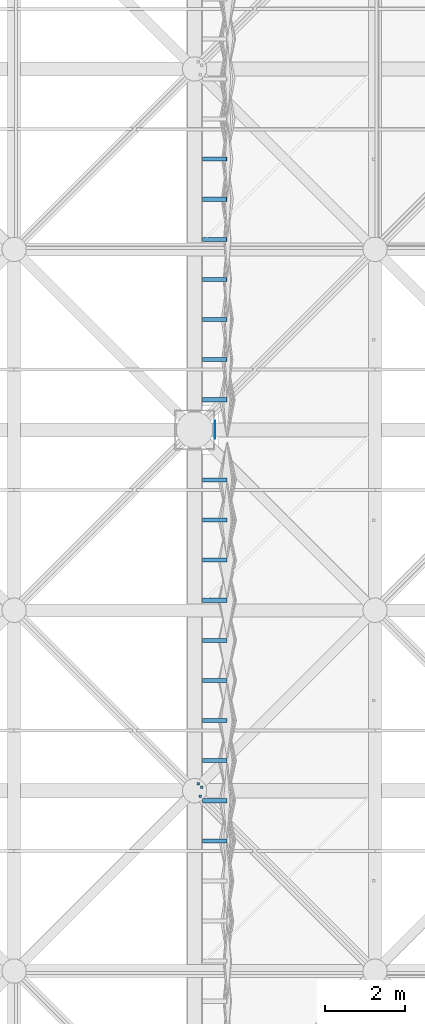
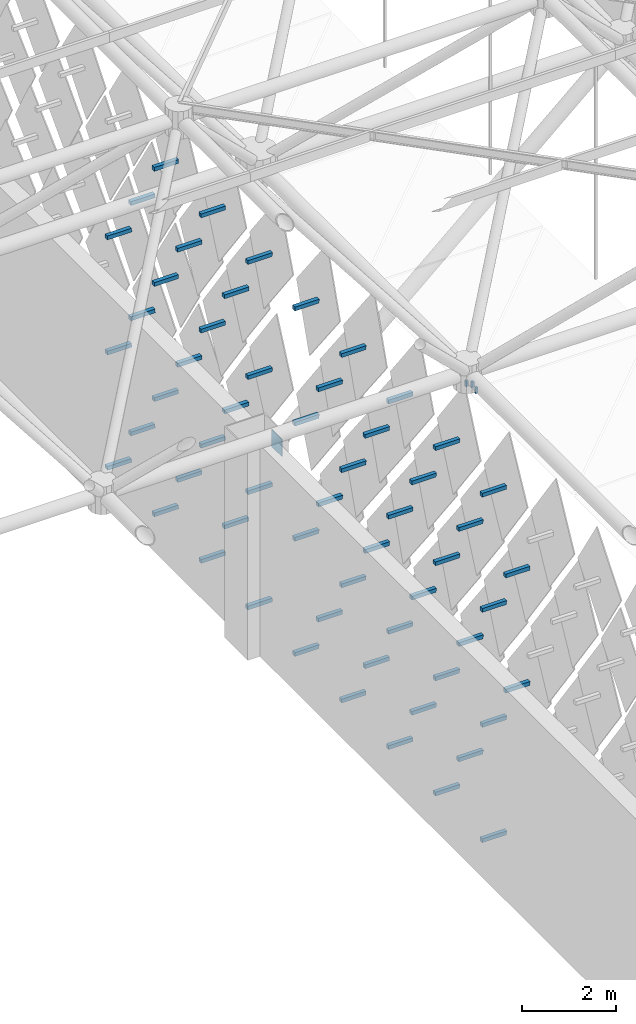
# One storey, part 376 of 437: 62 discrete accessories.
"""IFC4 building model written with IfcOpenShell, lengths in metres."""

from ifc_helpers import new_model, si_unit, direction, frame, origin, place, context, subcontext, project, spatial, polyline, outline, extrude, material, layer, layer_set, type_object, element, save


model = new_model("IFC4")

# Units and contexts
model_context = context("Model", 3, precision=1e-05, world=origin(), true_north=direction((0.0, 1.0)))
body_context = subcontext(model_context, "Body", "Model", "MODEL_VIEW")
ifc_project = project(units=[si_unit("LENGTHUNIT", "METRE"), si_unit("AREAUNIT", "SQUARE_METRE"), si_unit("VOLUMEUNIT", "CUBIC_METRE"), si_unit("PLANEANGLEUNIT", "RADIAN"), si_unit("MASSUNIT", "GRAM", prefix="KILO")], contexts=[model_context])

# Site, building, storey
site_placement = place(None, origin())
site = spatial("IfcSite", under=ifc_project, at=site_placement, CompositionType="ELEMENT")
building_placement = place(site_placement, origin())
building = spatial("IfcBuilding", under=site, at=building_placement, Name="Opaline Strait Convention Centre", CompositionType="ELEMENT")
storey_placement = place(building_placement, frame((0.0, 0.0, 11.5)))
storey = spatial("IfcBuildingStorey", under=building, at=storey_placement, Name="L02", CompositionType="ELEMENT", Elevation=11.5)

# Discrete accessories
ifc_material_1 = material(Name="Structural steel Q355B", Category="steel")
ifc_layer = layer(ifc_material_1, 0.01611328125)
ifc_layer_set = layer_set([ifc_layer], Name="Structural steel Q355B")
discrete_accessory_type_1 = type_object("IfcDiscreteAccessoryType", Name="Prop bearing plate 450 x 450 x 16", PredefinedType="ANCHORPLATE", material=ifc_layer_set)
discrete_accessory_1_placement = place(storey_placement, frame((0.0, 0.0, 4.7890625)))
element("IfcDiscreteAccessory", 1, at=discrete_accessory_1_placement, inside=storey, type_object=discrete_accessory_type_1, Name="Prop bearing plate 261/108 E", PredefinedType="ANCHORPLATE", context=body_context, shape_type="SweptSolid", body=[
    extrude(outline(polyline([(261.5, 107.77490234375), (261.51611328125, 107.77490234375), (261.51611328125, 108.22509765625), (261.5, 108.22509765625), (261.5, 107.77490234375)])), origin(), (0.0, 0.0, 1.0), 0.449951171875),
])
ifc_material_2 = material(Name="Steel Q355B", Category="steel")
discrete_accessory_type_2 = type_object("IfcDiscreteAccessoryType", Name="Soffit hanger 60x60 steel", PredefinedType="BRACKET", material=ifc_material_2)
discrete_accessory_2_placement = place(storey_placement, frame((0.0, 0.0, 11.990234375)))
element("IfcDiscreteAccessory", 2, at=discrete_accessory_2_placement, inside=storey, type_object=discrete_accessory_type_2, Name="Soffit hanger", PredefinedType="BRACKET", context=body_context, shape_type="SweptSolid", body=[
    extrude(outline(polyline([(261.111328125, 98.82861328125), (261.17138671875, 98.82861328125), (261.17138671875, 98.888671875), (261.111328125, 98.888671875), (261.111328125, 98.82861328125)])), origin(), (0.0, 0.0, 1.0), 0.149658203125),
])
discrete_accessory_3_placement = place(storey_placement, frame((0.0, 0.0, 11.990234375)))
element("IfcDiscreteAccessory", 3, at=discrete_accessory_3_placement, inside=storey, type_object=discrete_accessory_type_2, Name="Soffit hanger", PredefinedType="BRACKET", context=body_context, shape_type="SweptSolid", body=[
    extrude(outline(polyline([(261.14892578125, 99.059326171875), (261.208984375, 99.059326171875), (261.208984375, 99.119140625), (261.14892578125, 99.119140625), (261.14892578125, 99.059326171875)])), origin(), (0.0, 0.0, 1.0), 0.149658203125),
])
discrete_accessory_4_placement = place(storey_placement, frame((0.0, 0.0, 11.989990234375)))
element("IfcDiscreteAccessory", 4, at=discrete_accessory_4_placement, inside=storey, type_object=discrete_accessory_type_2, Name="Soffit hanger", PredefinedType="BRACKET", context=body_context, shape_type="SweptSolid", body=[
    extrude(outline(polyline([(261.059326171875, 99.14892578125), (261.119140625, 99.14892578125), (261.119140625, 99.208984375), (261.059326171875, 99.208984375), (261.059326171875, 99.14892578125)])), origin(), (0.0, 0.0, 1.0), 0.14990234375),
])
discrete_accessory_type_3 = type_object("IfcDiscreteAccessoryType", Name="Tile bracket 100x100 steel", PredefinedType="BRACKET", material=ifc_material_2)
discrete_accessory_5_placement = place(storey_placement, frame((261.199951171875, 98.699951171875, 0.39208984375), z_axis=(0.0, 1.0, 0.0), x_axis=(-1.0, 0.0, 0.0)))
element("IfcDiscreteAccessory", 5, at=discrete_accessory_5_placement, inside=storey, type_object=discrete_accessory_type_3, Name="Tile bracket XT17 E", PredefinedType="BRACKET", context=body_context, shape_type="SweptSolid", body=[
    extrude(outline(polyline([(0.0, -0.050048828125), (0.0, 0.050048828125), (-0.607421875, 0.050048828125), (-0.592529296875, -0.050048828125), (0.0, -0.050048828125)])), origin(), (0.0, 0.0, 1.0), 0.10009765625),
])
discrete_accessory_6_placement = place(storey_placement, frame((261.199951171875, 100.699951171875, 0.39208984375), z_axis=(0.0, 1.0, 0.0), x_axis=(-1.0, 0.0, 0.0)))
element("IfcDiscreteAccessory", 6, at=discrete_accessory_6_placement, inside=storey, type_object=discrete_accessory_type_3, Name="Tile bracket XT16 E", PredefinedType="BRACKET", context=body_context, shape_type="SweptSolid", body=[
    extrude(outline(polyline([(0.0, -0.050048828125), (0.0, 0.050048828125), (-0.60693359375, 0.050048828125), (-0.593017578125, -0.050048828125), (0.0, -0.050048828125)])), origin(), (0.0, 0.0, 1.0), 0.10009765625),
])
discrete_accessory_7_placement = place(storey_placement, frame((261.199951171875, 102.699951171875, 0.39208984375), z_axis=(0.0, 1.0, 0.0), x_axis=(-1.0, 0.0, 0.0)))
element("IfcDiscreteAccessory", 7, at=discrete_accessory_7_placement, inside=storey, type_object=discrete_accessory_type_3, Name="Tile bracket XT13 E", PredefinedType="BRACKET", context=body_context, shape_type="SweptSolid", body=[
    extrude(outline(polyline([(0.0, -0.050048828125), (0.0, 0.050048828125), (-0.605712890625, 0.050048828125), (-0.59423828125, -0.050048828125), (0.0, -0.050048828125)])), origin(), (0.0, 0.0, 1.0), 0.10009765625),
])
discrete_accessory_8_placement = place(storey_placement, frame((261.199951171875, 104.699951171875, 0.39208984375), z_axis=(0.0, 1.0, 0.0), x_axis=(-1.0, 0.0, 0.0)))
element("IfcDiscreteAccessory", 8, at=discrete_accessory_8_placement, inside=storey, type_object=discrete_accessory_type_3, Name="Tile bracket XT09 E", PredefinedType="BRACKET", context=body_context, shape_type="SweptSolid", body=[
    extrude(outline(polyline([(0.0, -0.050048828125), (0.0, 0.050048828125), (-0.60400390625, 0.050048828125), (-0.595947265625, -0.050048828125), (0.0, -0.050048828125)])), origin(), (0.0, 0.0, 1.0), 0.10009765625),
])
discrete_accessory_9_placement = place(storey_placement, frame((261.199951171875, 106.699951171875, 0.39208984375), z_axis=(0.0, 1.0, 0.0), x_axis=(-1.0, 0.0, 0.0)))
element("IfcDiscreteAccessory", 9, at=discrete_accessory_9_placement, inside=storey, type_object=discrete_accessory_type_3, Name="Tile bracket XT06 E", PredefinedType="BRACKET", context=body_context, shape_type="SweptSolid", body=[
    extrude(outline(polyline([(0.0, -0.050048828125), (0.0, 0.050048828125), (-0.6025390625, 0.050048828125), (-0.597412109375, -0.050048828125), (0.0, -0.050048828125)])), origin(), (0.0, 0.0, 1.0), 0.10009765625),
])
discrete_accessory_10_placement = place(storey_placement, frame((261.199951171875, 108.699951171875, 0.39208984375), z_axis=(0.0, 1.0, 0.0), x_axis=(-1.0, 0.0, 0.0)))
element("IfcDiscreteAccessory", 10, at=discrete_accessory_10_placement, inside=storey, type_object=discrete_accessory_type_3, Name="Tile bracket XT06 E", PredefinedType="BRACKET", context=body_context, shape_type="SweptSolid", body=[
    extrude(outline(polyline([(0.0, -0.050048828125), (0.0, 0.050048828125), (-0.597412109375, 0.050048828125), (-0.6025390625, -0.050048828125), (0.0, -0.050048828125)])), origin(), (0.0, 0.0, 1.0), 0.10009765625),
])
discrete_accessory_11_placement = place(storey_placement, frame((261.199951171875, 110.699951171875, 0.39208984375), z_axis=(0.0, 1.0, 0.0), x_axis=(-1.0, 0.0, 0.0)))
element("IfcDiscreteAccessory", 11, at=discrete_accessory_11_placement, inside=storey, type_object=discrete_accessory_type_3, Name="Tile bracket XT08 E", PredefinedType="BRACKET", context=body_context, shape_type="SweptSolid", body=[
    extrude(outline(polyline([(0.0, -0.050048828125), (0.0, 0.050048828125), (-0.596435546875, 0.050048828125), (-0.603515625, -0.050048828125), (0.0, -0.050048828125)])), origin(), (0.0, 0.0, 1.0), 0.10009765625),
])
discrete_accessory_12_placement = place(storey_placement, frame((261.199951171875, 112.699951171875, 0.39208984375), z_axis=(0.0, 1.0, 0.0), x_axis=(-1.0, 0.0, 0.0)))
element("IfcDiscreteAccessory", 12, at=discrete_accessory_12_placement, inside=storey, type_object=discrete_accessory_type_3, Name="Tile bracket XT13 E", PredefinedType="BRACKET", context=body_context, shape_type="SweptSolid", body=[
    extrude(outline(polyline([(0.0, -0.050048828125), (0.0, 0.050048828125), (-0.59423828125, 0.050048828125), (-0.605712890625, -0.050048828125), (0.0, -0.050048828125)])), origin(), (0.0, 0.0, 1.0), 0.10009765625),
])
discrete_accessory_13_placement = place(storey_placement, frame((261.199951171875, 114.699951171875, 0.39208984375), z_axis=(0.0, 1.0, 0.0), x_axis=(-1.0, 0.0, 0.0)))
element("IfcDiscreteAccessory", 13, at=discrete_accessory_13_placement, inside=storey, type_object=discrete_accessory_type_3, Name="Tile bracket XT15 E", PredefinedType="BRACKET", context=body_context, shape_type="SweptSolid", body=[
    extrude(outline(polyline([(0.0, -0.050048828125), (0.0, 0.050048828125), (-0.593505859375, 0.050048828125), (-0.606689453125, -0.050048828125), (0.0, -0.050048828125)])), origin(), (0.0, 0.0, 1.0), 0.10009765625),
])
discrete_accessory_14_placement = place(storey_placement, frame((261.199951171875, 99.699951171875, 1.89208984375), z_axis=(0.0, 1.0, 0.0), x_axis=(-1.0, 0.0, 0.0)))
element("IfcDiscreteAccessory", 14, at=discrete_accessory_14_placement, inside=storey, type_object=discrete_accessory_type_3, Name="Tile bracket XT17 E", PredefinedType="BRACKET", context=body_context, shape_type="SweptSolid", body=[
    extrude(outline(polyline([(0.0, -0.050048828125), (0.0, 0.050048828125), (-0.607421875, 0.050048828125), (-0.592529296875, -0.050048828125), (0.0, -0.050048828125)])), origin(), (0.0, 0.0, 1.0), 0.10009765625),
])
discrete_accessory_15_placement = place(storey_placement, frame((261.199951171875, 101.699951171875, 1.89208984375), z_axis=(0.0, 1.0, 0.0), x_axis=(-1.0, 0.0, 0.0)))
element("IfcDiscreteAccessory", 15, at=discrete_accessory_15_placement, inside=storey, type_object=discrete_accessory_type_3, Name="Tile bracket XT16 E", PredefinedType="BRACKET", context=body_context, shape_type="SweptSolid", body=[
    extrude(outline(polyline([(0.0, -0.050048828125), (0.0, 0.050048828125), (-0.60693359375, 0.050048828125), (-0.593017578125, -0.050048828125), (0.0, -0.050048828125)])), origin(), (0.0, 0.0, 1.0), 0.10009765625),
])
discrete_accessory_16_placement = place(storey_placement, frame((261.199951171875, 103.699951171875, 1.89208984375), z_axis=(0.0, 1.0, 0.0), x_axis=(-1.0, 0.0, 0.0)))
element("IfcDiscreteAccessory", 16, at=discrete_accessory_16_placement, inside=storey, type_object=discrete_accessory_type_3, Name="Tile bracket XT14 E", PredefinedType="BRACKET", context=body_context, shape_type="SweptSolid", body=[
    extrude(outline(polyline([(0.0, -0.050048828125), (0.0, 0.050048828125), (-0.606201171875, 0.050048828125), (-0.59375, -0.050048828125), (0.0, -0.050048828125)])), origin(), (0.0, 0.0, 1.0), 0.10009765625),
])
discrete_accessory_17_placement = place(storey_placement, frame((261.199951171875, 105.699951171875, 1.89208984375), z_axis=(0.0, 1.0, 0.0), x_axis=(-1.0, 0.0, 0.0)))
element("IfcDiscreteAccessory", 17, at=discrete_accessory_17_placement, inside=storey, type_object=discrete_accessory_type_3, Name="Tile bracket XT09 E", PredefinedType="BRACKET", context=body_context, shape_type="SweptSolid", body=[
    extrude(outline(polyline([(0.0, -0.050048828125), (0.0, 0.050048828125), (-0.60400390625, 0.050048828125), (-0.595947265625, -0.050048828125), (0.0, -0.050048828125)])), origin(), (0.0, 0.0, 1.0), 0.10009765625),
])
discrete_accessory_18_placement = place(storey_placement, frame((261.199951171875, 109.699951171875, 1.89208984375), z_axis=(0.0, 1.0, 0.0), x_axis=(-1.0, 0.0, 0.0)))
element("IfcDiscreteAccessory", 18, at=discrete_accessory_18_placement, inside=storey, type_object=discrete_accessory_type_3, Name="Tile bracket XT06 E", PredefinedType="BRACKET", context=body_context, shape_type="SweptSolid", body=[
    extrude(outline(polyline([(0.0, -0.050048828125), (0.0, 0.050048828125), (-0.597412109375, 0.050048828125), (-0.6025390625, -0.050048828125), (0.0, -0.050048828125)])), origin(), (0.0, 0.0, 1.0), 0.10009765625),
])
discrete_accessory_19_placement = place(storey_placement, frame((261.199951171875, 111.699951171875, 1.89208984375), z_axis=(0.0, 1.0, 0.0), x_axis=(-1.0, 0.0, 0.0)))
element("IfcDiscreteAccessory", 19, at=discrete_accessory_19_placement, inside=storey, type_object=discrete_accessory_type_3, Name="Tile bracket XT08 E", PredefinedType="BRACKET", context=body_context, shape_type="SweptSolid", body=[
    extrude(outline(polyline([(0.0, -0.050048828125), (0.0, 0.050048828125), (-0.596435546875, 0.050048828125), (-0.603515625, -0.050048828125), (0.0, -0.050048828125)])), origin(), (0.0, 0.0, 1.0), 0.10009765625),
])
discrete_accessory_20_placement = place(storey_placement, frame((261.199951171875, 113.699951171875, 1.89208984375), z_axis=(0.0, 1.0, 0.0), x_axis=(-1.0, 0.0, 0.0)))
element("IfcDiscreteAccessory", 20, at=discrete_accessory_20_placement, inside=storey, type_object=discrete_accessory_type_3, Name="Tile bracket XT12 E", PredefinedType="BRACKET", context=body_context, shape_type="SweptSolid", body=[
    extrude(outline(polyline([(0.0, -0.050048828125), (0.0, 0.050048828125), (-0.5947265625, 0.050048828125), (-0.605224609375, -0.050048828125), (0.0, -0.050048828125)])), origin(), (0.0, 0.0, 1.0), 0.10009765625),
])
discrete_accessory_21_placement = place(storey_placement, frame((261.199951171875, 98.699951171875, 3.39208984375), z_axis=(0.0, 1.0, 0.0), x_axis=(-1.0, 0.0, 0.0)))
element("IfcDiscreteAccessory", 21, at=discrete_accessory_21_placement, inside=storey, type_object=discrete_accessory_type_3, Name="Tile bracket XT16 E", PredefinedType="BRACKET", context=body_context, shape_type="SweptSolid", body=[
    extrude(outline(polyline([(0.0, -0.050048828125), (0.0, 0.050048828125), (-0.60693359375, 0.050048828125), (-0.593017578125, -0.050048828125), (0.0, -0.050048828125)])), origin(), (0.0, 0.0, 1.0), 0.10009765625),
])
discrete_accessory_22_placement = place(storey_placement, frame((261.199951171875, 100.699951171875, 3.39208984375), z_axis=(0.0, 1.0, 0.0), x_axis=(-1.0, 0.0, 0.0)))
element("IfcDiscreteAccessory", 22, at=discrete_accessory_22_placement, inside=storey, type_object=discrete_accessory_type_3, Name="Tile bracket XT17 E", PredefinedType="BRACKET", context=body_context, shape_type="SweptSolid", body=[
    extrude(outline(polyline([(0.0, -0.050048828125), (0.0, 0.050048828125), (-0.607421875, 0.050048828125), (-0.592529296875, -0.050048828125), (0.0, -0.050048828125)])), origin(), (0.0, 0.0, 1.0), 0.10009765625),
])
discrete_accessory_23_placement = place(storey_placement, frame((261.199951171875, 102.699951171875, 3.39208984375), z_axis=(0.0, 1.0, 0.0), x_axis=(-1.0, 0.0, 0.0)))
element("IfcDiscreteAccessory", 23, at=discrete_accessory_23_placement, inside=storey, type_object=discrete_accessory_type_3, Name="Tile bracket XT16 E", PredefinedType="BRACKET", context=body_context, shape_type="SweptSolid", body=[
    extrude(outline(polyline([(0.0, -0.050048828125), (0.0, 0.050048828125), (-0.60693359375, 0.050048828125), (-0.593017578125, -0.050048828125), (0.0, -0.050048828125)])), origin(), (0.0, 0.0, 1.0), 0.10009765625),
])
discrete_accessory_24_placement = place(storey_placement, frame((261.199951171875, 104.699951171875, 3.39208984375), z_axis=(0.0, 1.0, 0.0), x_axis=(-1.0, 0.0, 0.0)))
element("IfcDiscreteAccessory", 24, at=discrete_accessory_24_placement, inside=storey, type_object=discrete_accessory_type_3, Name="Tile bracket XT14 E", PredefinedType="BRACKET", context=body_context, shape_type="SweptSolid", body=[
    extrude(outline(polyline([(0.0, -0.050048828125), (0.0, 0.050048828125), (-0.606201171875, 0.050048828125), (-0.59375, -0.050048828125), (0.0, -0.050048828125)])), origin(), (0.0, 0.0, 1.0), 0.10009765625),
])
discrete_accessory_25_placement = place(storey_placement, frame((261.199951171875, 106.699951171875, 3.39208984375), z_axis=(0.0, 1.0, 0.0), x_axis=(-1.0, 0.0, 0.0)))
element("IfcDiscreteAccessory", 25, at=discrete_accessory_25_placement, inside=storey, type_object=discrete_accessory_type_3, Name="Tile bracket XT10 E", PredefinedType="BRACKET", context=body_context, shape_type="SweptSolid", body=[
    extrude(outline(polyline([(0.0, -0.050048828125), (0.0, 0.050048828125), (-0.604248046875, 0.050048828125), (-0.595703125, -0.050048828125), (0.0, -0.050048828125)])), origin(), (0.0, 0.0, 1.0), 0.10009765625),
])
discrete_accessory_26_placement = place(storey_placement, frame((261.199951171875, 108.699951171875, 3.39208984375), z_axis=(0.0, 1.0, 0.0), x_axis=(-1.0, 0.0, 0.0)))
element("IfcDiscreteAccessory", 26, at=discrete_accessory_26_placement, inside=storey, type_object=discrete_accessory_type_3, Name="Tile bracket XT06 E", PredefinedType="BRACKET", context=body_context, shape_type="SweptSolid", body=[
    extrude(outline(polyline([(0.0, -0.050048828125), (0.0, 0.050048828125), (-0.6025390625, 0.050048828125), (-0.597412109375, -0.050048828125), (0.0, -0.050048828125)])), origin(), (0.0, 0.0, 1.0), 0.10009765625),
])
discrete_accessory_27_placement = place(storey_placement, frame((261.199951171875, 110.699951171875, 3.39208984375), z_axis=(0.0, 1.0, 0.0), x_axis=(-1.0, 0.0, 0.0)))
element("IfcDiscreteAccessory", 27, at=discrete_accessory_27_placement, inside=storey, type_object=discrete_accessory_type_3, Name="Tile bracket XT06 E", PredefinedType="BRACKET", context=body_context, shape_type="SweptSolid", body=[
    extrude(outline(polyline([(0.0, -0.050048828125), (0.0, 0.050048828125), (-0.597412109375, 0.050048828125), (-0.6025390625, -0.050048828125), (0.0, -0.050048828125)])), origin(), (0.0, 0.0, 1.0), 0.10009765625),
])
discrete_accessory_28_placement = place(storey_placement, frame((261.199951171875, 112.699951171875, 3.39208984375), z_axis=(0.0, 1.0, 0.0), x_axis=(-1.0, 0.0, 0.0)))
element("IfcDiscreteAccessory", 28, at=discrete_accessory_28_placement, inside=storey, type_object=discrete_accessory_type_3, Name="Tile bracket XT07 E", PredefinedType="BRACKET", context=body_context, shape_type="SweptSolid", body=[
    extrude(outline(polyline([(0.0, -0.050048828125), (0.0, 0.050048828125), (-0.596923828125, 0.050048828125), (-0.60302734375, -0.050048828125), (0.0, -0.050048828125)])), origin(), (0.0, 0.0, 1.0), 0.10009765625),
])
discrete_accessory_29_placement = place(storey_placement, frame((261.199951171875, 114.699951171875, 3.39208984375), z_axis=(0.0, 1.0, 0.0), x_axis=(-1.0, 0.0, 0.0)))
element("IfcDiscreteAccessory", 29, at=discrete_accessory_29_placement, inside=storey, type_object=discrete_accessory_type_3, Name="Tile bracket XT11 E", PredefinedType="BRACKET", context=body_context, shape_type="SweptSolid", body=[
    extrude(outline(polyline([(0.0, -0.050048828125), (0.0, 0.050048828125), (-0.59521484375, 0.050048828125), (-0.604736328125, -0.050048828125), (0.0, -0.050048828125)])), origin(), (0.0, 0.0, 1.0), 0.10009765625),
])
discrete_accessory_30_placement = place(storey_placement, frame((261.199951171875, 97.699951171875, 4.89208984375), z_axis=(0.0, 1.0, 0.0), x_axis=(-1.0, 0.0, 0.0)))
element("IfcDiscreteAccessory", 30, at=discrete_accessory_30_placement, inside=storey, type_object=discrete_accessory_type_3, Name="Tile bracket XT12 E", PredefinedType="BRACKET", context=body_context, shape_type="SweptSolid", body=[
    extrude(outline(polyline([(0.0, -0.050048828125), (0.0, 0.050048828125), (-0.605224609375, 0.050048828125), (-0.5947265625, -0.050048828125), (0.0, -0.050048828125)])), origin(), (0.0, 0.0, 1.0), 0.10009765625),
])
discrete_accessory_31_placement = place(storey_placement, frame((261.199951171875, 99.699951171875, 4.89208984375), z_axis=(0.0, 1.0, 0.0), x_axis=(-1.0, 0.0, 0.0)))
element("IfcDiscreteAccessory", 31, at=discrete_accessory_31_placement, inside=storey, type_object=discrete_accessory_type_3, Name="Tile bracket XT15 E", PredefinedType="BRACKET", context=body_context, shape_type="SweptSolid", body=[
    extrude(outline(polyline([(0.0, -0.050048828125), (0.0, 0.050048828125), (-0.606689453125, 0.050048828125), (-0.593505859375, -0.050048828125), (0.0, -0.050048828125)])), origin(), (0.0, 0.0, 1.0), 0.10009765625),
])
discrete_accessory_32_placement = place(storey_placement, frame((261.199951171875, 101.699951171875, 4.89208984375), z_axis=(0.0, 1.0, 0.0), x_axis=(-1.0, 0.0, 0.0)))
element("IfcDiscreteAccessory", 32, at=discrete_accessory_32_placement, inside=storey, type_object=discrete_accessory_type_3, Name="Tile bracket XT17 E", PredefinedType="BRACKET", context=body_context, shape_type="SweptSolid", body=[
    extrude(outline(polyline([(0.0, -0.050048828125), (0.0, 0.050048828125), (-0.607421875, 0.050048828125), (-0.592529296875, -0.050048828125), (0.0, -0.050048828125)])), origin(), (0.0, 0.0, 1.0), 0.10009765625),
])
discrete_accessory_33_placement = place(storey_placement, frame((261.199951171875, 103.699951171875, 4.89208984375), z_axis=(0.0, 1.0, 0.0), x_axis=(-1.0, 0.0, 0.0)))
element("IfcDiscreteAccessory", 33, at=discrete_accessory_33_placement, inside=storey, type_object=discrete_accessory_type_3, Name="Tile bracket XT16 E", PredefinedType="BRACKET", context=body_context, shape_type="SweptSolid", body=[
    extrude(outline(polyline([(0.0, -0.050048828125), (0.0, 0.050048828125), (-0.60693359375, 0.050048828125), (-0.593017578125, -0.050048828125), (0.0, -0.050048828125)])), origin(), (0.0, 0.0, 1.0), 0.10009765625),
])
discrete_accessory_34_placement = place(storey_placement, frame((261.199951171875, 105.699951171875, 4.89208984375), z_axis=(0.0, 1.0, 0.0), x_axis=(-1.0, 0.0, 0.0)))
element("IfcDiscreteAccessory", 34, at=discrete_accessory_34_placement, inside=storey, type_object=discrete_accessory_type_3, Name="Tile bracket XT14 E", PredefinedType="BRACKET", context=body_context, shape_type="SweptSolid", body=[
    extrude(outline(polyline([(0.0, -0.050048828125), (0.0, 0.050048828125), (-0.606201171875, 0.050048828125), (-0.59375, -0.050048828125), (0.0, -0.050048828125)])), origin(), (0.0, 0.0, 1.0), 0.10009765625),
])
discrete_accessory_35_placement = place(storey_placement, frame((261.199951171875, 109.699951171875, 4.89208984375), z_axis=(0.0, 1.0, 0.0), x_axis=(-1.0, 0.0, 0.0)))
element("IfcDiscreteAccessory", 35, at=discrete_accessory_35_placement, inside=storey, type_object=discrete_accessory_type_3, Name="Tile bracket XT06 E", PredefinedType="BRACKET", context=body_context, shape_type="SweptSolid", body=[
    extrude(outline(polyline([(0.0, -0.050048828125), (0.0, 0.050048828125), (-0.6025390625, 0.050048828125), (-0.597412109375, -0.050048828125), (0.0, -0.050048828125)])), origin(), (0.0, 0.0, 1.0), 0.10009765625),
])
discrete_accessory_36_placement = place(storey_placement, frame((261.199951171875, 111.699951171875, 4.89208984375), z_axis=(0.0, 1.0, 0.0), x_axis=(-1.0, 0.0, 0.0)))
element("IfcDiscreteAccessory", 36, at=discrete_accessory_36_placement, inside=storey, type_object=discrete_accessory_type_3, Name="Tile bracket XT06 E", PredefinedType="BRACKET", context=body_context, shape_type="SweptSolid", body=[
    extrude(outline(polyline([(0.0, -0.050048828125), (0.0, 0.050048828125), (-0.597412109375, 0.050048828125), (-0.6025390625, -0.050048828125), (0.0, -0.050048828125)])), origin(), (0.0, 0.0, 1.0), 0.10009765625),
])
discrete_accessory_37_placement = place(storey_placement, frame((261.199951171875, 113.699951171875, 4.89208984375), z_axis=(0.0, 1.0, 0.0), x_axis=(-1.0, 0.0, 0.0)))
element("IfcDiscreteAccessory", 37, at=discrete_accessory_37_placement, inside=storey, type_object=discrete_accessory_type_3, Name="Tile bracket XT07 E", PredefinedType="BRACKET", context=body_context, shape_type="SweptSolid", body=[
    extrude(outline(polyline([(0.0, -0.050048828125), (0.0, 0.050048828125), (-0.596923828125, 0.050048828125), (-0.60302734375, -0.050048828125), (0.0, -0.050048828125)])), origin(), (0.0, 0.0, 1.0), 0.10009765625),
])
discrete_accessory_38_placement = place(storey_placement, frame((261.199951171875, 98.699951171875, 6.39208984375), z_axis=(0.0, 1.0, 0.0), x_axis=(-1.0, 0.0, 0.0)))
element("IfcDiscreteAccessory", 38, at=discrete_accessory_38_placement, inside=storey, type_object=discrete_accessory_type_3, Name="Tile bracket XT12 E", PredefinedType="BRACKET", context=body_context, shape_type="SweptSolid", body=[
    extrude(outline(polyline([(0.0, -0.050048828125), (0.0, 0.050048828125), (-0.605224609375, 0.050048828125), (-0.5947265625, -0.050048828125), (0.0, -0.050048828125)])), origin(), (0.0, 0.0, 1.0), 0.10009765625),
])
discrete_accessory_39_placement = place(storey_placement, frame((261.199951171875, 100.699951171875, 6.39208984375), z_axis=(0.0, 1.0, 0.0), x_axis=(-1.0, 0.0, 0.0)))
element("IfcDiscreteAccessory", 39, at=discrete_accessory_39_placement, inside=storey, type_object=discrete_accessory_type_3, Name="Tile bracket XT15 E", PredefinedType="BRACKET", context=body_context, shape_type="SweptSolid", body=[
    extrude(outline(polyline([(0.0, -0.050048828125), (0.0, 0.050048828125), (-0.606689453125, 0.050048828125), (-0.593505859375, -0.050048828125), (0.0, -0.050048828125)])), origin(), (0.0, 0.0, 1.0), 0.10009765625),
])
for number, where, z_axis, x_axis, name in (
    (40, (261.199951171875, 102.699951171875, 6.39208984375), (0.0, 1.0, 0.0), (-1.0, 0.0, 0.0), "Tile bracket XT17 E"),
    (41, (261.199951171875, 104.699951171875, 6.39208984375), (0.0, 1.0, 0.0), (-1.0, 0.0, 0.0), "Tile bracket XT17 E"),
):
    element("IfcDiscreteAccessory", number, at=place(storey_placement, frame(where, z_axis=z_axis, x_axis=x_axis)), inside=storey, type_object=discrete_accessory_type_3, Name=name, PredefinedType="BRACKET", context=body_context, shape_type="SweptSolid", body=[
        extrude(outline(polyline([(0.0, -0.050048828125), (0.0, 0.050048828125), (-0.607421875, 0.050048828125), (-0.592529296875, -0.050048828125), (0.0, -0.050048828125)])), origin(), (0.0, 0.0, 1.0), 0.10009765625),
    ])
discrete_accessory_40_placement = place(storey_placement, frame((261.199951171875, 106.699951171875, 6.39208984375), z_axis=(0.0, 1.0, 0.0), x_axis=(-1.0, 0.0, 0.0)))
element("IfcDiscreteAccessory", 42, at=discrete_accessory_40_placement, inside=storey, type_object=discrete_accessory_type_3, Name="Tile bracket XT14 E", PredefinedType="BRACKET", context=body_context, shape_type="SweptSolid", body=[
    extrude(outline(polyline([(0.0, -0.050048828125), (0.0, 0.050048828125), (-0.606201171875, 0.050048828125), (-0.59375, -0.050048828125), (0.0, -0.050048828125)])), origin(), (0.0, 0.0, 1.0), 0.10009765625),
])
discrete_accessory_41_placement = place(storey_placement, frame((261.199951171875, 108.699951171875, 6.39208984375), z_axis=(0.0, 1.0, 0.0), x_axis=(-1.0, 0.0, 0.0)))
element("IfcDiscreteAccessory", 43, at=discrete_accessory_41_placement, inside=storey, type_object=discrete_accessory_type_3, Name="Tile bracket XT10 E", PredefinedType="BRACKET", context=body_context, shape_type="SweptSolid", body=[
    extrude(outline(polyline([(0.0, -0.050048828125), (0.0, 0.050048828125), (-0.604248046875, 0.050048828125), (-0.595703125, -0.050048828125), (0.0, -0.050048828125)])), origin(), (0.0, 0.0, 1.0), 0.10009765625),
])
discrete_accessory_42_placement = place(storey_placement, frame((261.199951171875, 110.699951171875, 6.39208984375), z_axis=(0.0, 1.0, 0.0), x_axis=(-1.0, 0.0, 0.0)))
element("IfcDiscreteAccessory", 44, at=discrete_accessory_42_placement, inside=storey, type_object=discrete_accessory_type_3, Name="Tile bracket XT06 E", PredefinedType="BRACKET", context=body_context, shape_type="SweptSolid", body=[
    extrude(outline(polyline([(0.0, -0.050048828125), (0.0, 0.050048828125), (-0.6025390625, 0.050048828125), (-0.597412109375, -0.050048828125), (0.0, -0.050048828125)])), origin(), (0.0, 0.0, 1.0), 0.10009765625),
])
for number, where, z_axis, x_axis, name in (
    (45, (261.199951171875, 112.699951171875, 6.39208984375), (0.0, 1.0, 0.0), (-1.0, 0.0, 0.0), "Tile bracket XT06 E"),
    (46, (261.199951171875, 114.699951171875, 6.39208984375), (0.0, 1.0, 0.0), (-1.0, 0.0, 0.0), "Tile bracket XT06 E"),
):
    element("IfcDiscreteAccessory", number, at=place(storey_placement, frame(where, z_axis=z_axis, x_axis=x_axis)), inside=storey, type_object=discrete_accessory_type_3, Name=name, PredefinedType="BRACKET", context=body_context, shape_type="SweptSolid", body=[
        extrude(outline(polyline([(0.0, -0.050048828125), (0.0, 0.050048828125), (-0.597412109375, 0.050048828125), (-0.6025390625, -0.050048828125), (0.0, -0.050048828125)])), origin(), (0.0, 0.0, 1.0), 0.10009765625),
    ])
discrete_accessory_43_placement = place(storey_placement, frame((261.199951171875, 97.699951171875, 7.89208984375), z_axis=(0.0, 1.0, 0.0), x_axis=(-1.0, 0.0, 0.0)))
element("IfcDiscreteAccessory", 47, at=discrete_accessory_43_placement, inside=storey, type_object=discrete_accessory_type_3, Name="Tile bracket XT06 E", PredefinedType="BRACKET", context=body_context, shape_type="SweptSolid", body=[
    extrude(outline(polyline([(0.0, -0.050048828125), (0.0, 0.050048828125), (-0.6025390625, 0.050048828125), (-0.597412109375, -0.050048828125), (0.0, -0.050048828125)])), origin(), (0.0, 0.0, 1.0), 0.10009765625),
])
discrete_accessory_44_placement = place(storey_placement, frame((261.199951171875, 99.699951171875, 7.89208984375), z_axis=(0.0, 1.0, 0.0), x_axis=(-1.0, 0.0, 0.0)))
element("IfcDiscreteAccessory", 48, at=discrete_accessory_44_placement, inside=storey, type_object=discrete_accessory_type_3, Name="Tile bracket XT11 E", PredefinedType="BRACKET", context=body_context, shape_type="SweptSolid", body=[
    extrude(outline(polyline([(0.0, -0.050048828125), (0.0, 0.050048828125), (-0.604736328125, 0.050048828125), (-0.59521484375, -0.050048828125), (0.0, -0.050048828125)])), origin(), (0.0, 0.0, 1.0), 0.10009765625),
])
discrete_accessory_45_placement = place(storey_placement, frame((261.199951171875, 101.699951171875, 7.89208984375), z_axis=(0.0, 1.0, 0.0), x_axis=(-1.0, 0.0, 0.0)))
element("IfcDiscreteAccessory", 49, at=discrete_accessory_45_placement, inside=storey, type_object=discrete_accessory_type_3, Name="Tile bracket XT15 E", PredefinedType="BRACKET", context=body_context, shape_type="SweptSolid", body=[
    extrude(outline(polyline([(0.0, -0.050048828125), (0.0, 0.050048828125), (-0.606689453125, 0.050048828125), (-0.593505859375, -0.050048828125), (0.0, -0.050048828125)])), origin(), (0.0, 0.0, 1.0), 0.10009765625),
])
for number, where, z_axis, x_axis, name in (
    (50, (261.199951171875, 103.699951171875, 7.89208984375), (0.0, 1.0, 0.0), (-1.0, 0.0, 0.0), "Tile bracket XT17 E"),
    (51, (261.199951171875, 105.699951171875, 7.89208984375), (0.0, 1.0, 0.0), (-1.0, 0.0, 0.0), "Tile bracket XT17 E"),
):
    element("IfcDiscreteAccessory", number, at=place(storey_placement, frame(where, z_axis=z_axis, x_axis=x_axis)), inside=storey, type_object=discrete_accessory_type_3, Name=name, PredefinedType="BRACKET", context=body_context, shape_type="SweptSolid", body=[
        extrude(outline(polyline([(0.0, -0.050048828125), (0.0, 0.050048828125), (-0.607421875, 0.050048828125), (-0.592529296875, -0.050048828125), (0.0, -0.050048828125)])), origin(), (0.0, 0.0, 1.0), 0.10009765625),
    ])
discrete_accessory_46_placement = place(storey_placement, frame((261.199951171875, 109.699951171875, 7.89208984375), z_axis=(0.0, 1.0, 0.0), x_axis=(-1.0, 0.0, 0.0)))
element("IfcDiscreteAccessory", 52, at=discrete_accessory_46_placement, inside=storey, type_object=discrete_accessory_type_3, Name="Tile bracket XT10 E", PredefinedType="BRACKET", context=body_context, shape_type="SweptSolid", body=[
    extrude(outline(polyline([(0.0, -0.050048828125), (0.0, 0.050048828125), (-0.604248046875, 0.050048828125), (-0.595703125, -0.050048828125), (0.0, -0.050048828125)])), origin(), (0.0, 0.0, 1.0), 0.10009765625),
])
discrete_accessory_47_placement = place(storey_placement, frame((261.199951171875, 111.699951171875, 7.89208984375), z_axis=(0.0, 1.0, 0.0), x_axis=(-1.0, 0.0, 0.0)))
element("IfcDiscreteAccessory", 53, at=discrete_accessory_47_placement, inside=storey, type_object=discrete_accessory_type_3, Name="Tile bracket XT06 E", PredefinedType="BRACKET", context=body_context, shape_type="SweptSolid", body=[
    extrude(outline(polyline([(0.0, -0.050048828125), (0.0, 0.050048828125), (-0.6025390625, 0.050048828125), (-0.597412109375, -0.050048828125), (0.0, -0.050048828125)])), origin(), (0.0, 0.0, 1.0), 0.10009765625),
])
discrete_accessory_48_placement = place(storey_placement, frame((261.199951171875, 113.699951171875, 7.89208984375), z_axis=(0.0, 1.0, 0.0), x_axis=(-1.0, 0.0, 0.0)))
element("IfcDiscreteAccessory", 54, at=discrete_accessory_48_placement, inside=storey, type_object=discrete_accessory_type_3, Name="Tile bracket XT06 E", PredefinedType="BRACKET", context=body_context, shape_type="SweptSolid", body=[
    extrude(outline(polyline([(0.0, -0.050048828125), (0.0, 0.050048828125), (-0.597412109375, 0.050048828125), (-0.6025390625, -0.050048828125), (0.0, -0.050048828125)])), origin(), (0.0, 0.0, 1.0), 0.10009765625),
])
discrete_accessory_49_placement = place(storey_placement, frame((261.199951171875, 98.699951171875, 9.39208984375), z_axis=(0.0, 1.0, 0.0), x_axis=(-1.0, 0.0, 0.0)))
element("IfcDiscreteAccessory", 55, at=discrete_accessory_49_placement, inside=storey, type_object=discrete_accessory_type_3, Name="Tile bracket XT06 E", PredefinedType="BRACKET", context=body_context, shape_type="SweptSolid", body=[
    extrude(outline(polyline([(0.0, -0.050048828125), (0.0, 0.050048828125), (-0.6025390625, 0.050048828125), (-0.597412109375, -0.050048828125), (0.0, -0.050048828125)])), origin(), (0.0, 0.0, 1.0), 0.10009765625),
])
discrete_accessory_50_placement = place(storey_placement, frame((261.199951171875, 100.699951171875, 9.39208984375), z_axis=(0.0, 1.0, 0.0), x_axis=(-1.0, 0.0, 0.0)))
element("IfcDiscreteAccessory", 56, at=discrete_accessory_50_placement, inside=storey, type_object=discrete_accessory_type_3, Name="Tile bracket XT11 E", PredefinedType="BRACKET", context=body_context, shape_type="SweptSolid", body=[
    extrude(outline(polyline([(0.0, -0.050048828125), (0.0, 0.050048828125), (-0.604736328125, 0.050048828125), (-0.59521484375, -0.050048828125), (0.0, -0.050048828125)])), origin(), (0.0, 0.0, 1.0), 0.10009765625),
])
discrete_accessory_51_placement = place(storey_placement, frame((261.199951171875, 102.699951171875, 9.39208984375), z_axis=(0.0, 1.0, 0.0), x_axis=(-1.0, 0.0, 0.0)))
element("IfcDiscreteAccessory", 57, at=discrete_accessory_51_placement, inside=storey, type_object=discrete_accessory_type_3, Name="Tile bracket XT15 E", PredefinedType="BRACKET", context=body_context, shape_type="SweptSolid", body=[
    extrude(outline(polyline([(0.0, -0.050048828125), (0.0, 0.050048828125), (-0.606689453125, 0.050048828125), (-0.593505859375, -0.050048828125), (0.0, -0.050048828125)])), origin(), (0.0, 0.0, 1.0), 0.10009765625),
])
for number, where, z_axis, x_axis, name in (
    (58, (261.199951171875, 104.699951171875, 9.39208984375), (0.0, 1.0, 0.0), (-1.0, 0.0, 0.0), "Tile bracket XT17 E"),
    (59, (261.199951171875, 106.699951171875, 9.39208984375), (0.0, 1.0, 0.0), (-1.0, 0.0, 0.0), "Tile bracket XT17 E"),
):
    element("IfcDiscreteAccessory", number, at=place(storey_placement, frame(where, z_axis=z_axis, x_axis=x_axis)), inside=storey, type_object=discrete_accessory_type_3, Name=name, PredefinedType="BRACKET", context=body_context, shape_type="SweptSolid", body=[
        extrude(outline(polyline([(0.0, -0.050048828125), (0.0, 0.050048828125), (-0.607421875, 0.050048828125), (-0.592529296875, -0.050048828125), (0.0, -0.050048828125)])), origin(), (0.0, 0.0, 1.0), 0.10009765625),
    ])
discrete_accessory_52_placement = place(storey_placement, frame((261.199951171875, 108.699951171875, 9.39208984375), z_axis=(0.0, 1.0, 0.0), x_axis=(-1.0, 0.0, 0.0)))
element("IfcDiscreteAccessory", 60, at=discrete_accessory_52_placement, inside=storey, type_object=discrete_accessory_type_3, Name="Tile bracket XT15 E", PredefinedType="BRACKET", context=body_context, shape_type="SweptSolid", body=[
    extrude(outline(polyline([(0.0, -0.050048828125), (0.0, 0.050048828125), (-0.606689453125, 0.050048828125), (-0.593505859375, -0.050048828125), (0.0, -0.050048828125)])), origin(), (0.0, 0.0, 1.0), 0.10009765625),
])
discrete_accessory_53_placement = place(storey_placement, frame((261.199951171875, 110.699951171875, 9.39208984375), z_axis=(0.0, 1.0, 0.0), x_axis=(-1.0, 0.0, 0.0)))
element("IfcDiscreteAccessory", 61, at=discrete_accessory_53_placement, inside=storey, type_object=discrete_accessory_type_3, Name="Tile bracket XT11 E", PredefinedType="BRACKET", context=body_context, shape_type="SweptSolid", body=[
    extrude(outline(polyline([(0.0, -0.050048828125), (0.0, 0.050048828125), (-0.604736328125, 0.050048828125), (-0.59521484375, -0.050048828125), (0.0, -0.050048828125)])), origin(), (0.0, 0.0, 1.0), 0.10009765625),
])
discrete_accessory_54_placement = place(storey_placement, frame((261.199951171875, 112.699951171875, 9.39208984375), z_axis=(0.0, 1.0, 0.0), x_axis=(-1.0, 0.0, 0.0)))
element("IfcDiscreteAccessory", 62, at=discrete_accessory_54_placement, inside=storey, type_object=discrete_accessory_type_3, Name="Tile bracket XT06 E", PredefinedType="BRACKET", context=body_context, shape_type="SweptSolid", body=[
    extrude(outline(polyline([(0.0, -0.050048828125), (0.0, 0.050048828125), (-0.6025390625, 0.050048828125), (-0.597412109375, -0.050048828125), (0.0, -0.050048828125)])), origin(), (0.0, 0.0, 1.0), 0.10009765625),
])

save(model, "model.ifc")
